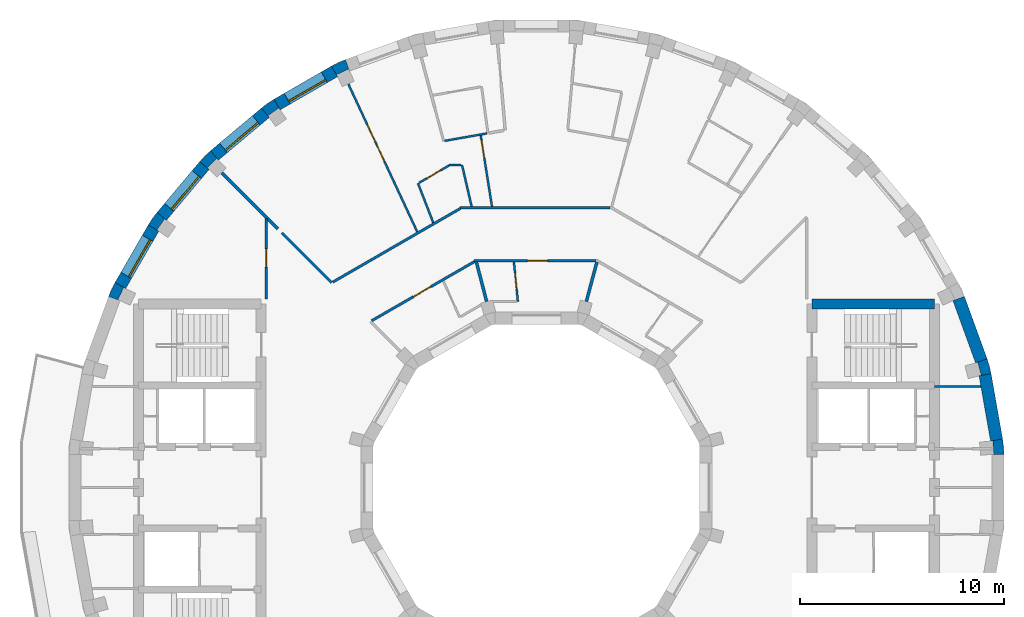
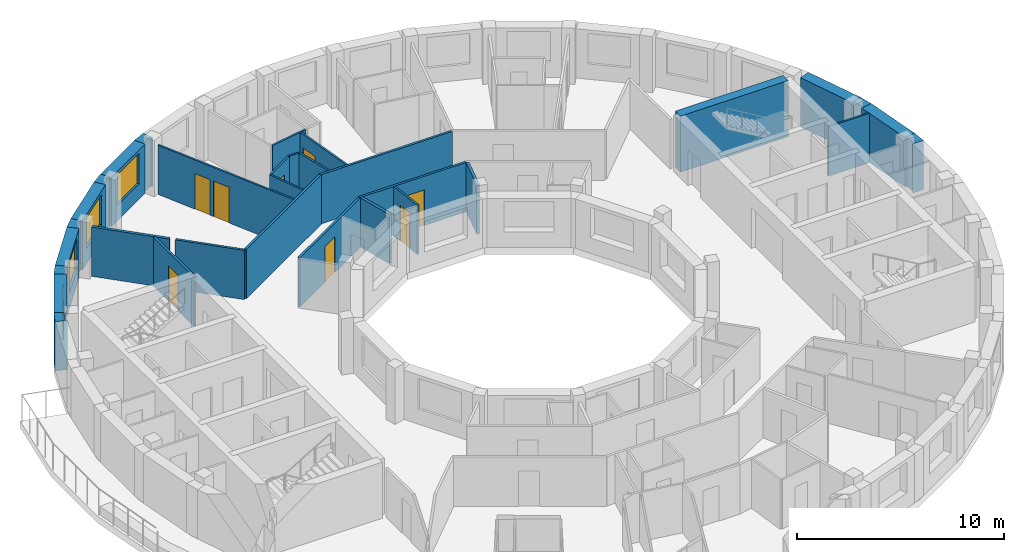
# One storey, part 7 of 10: 32 walls, 8 doors, 4 windows, 12 openings.
"""IFC4 building model written with IfcOpenShell, lengths in metres."""

from ifc_helpers import new_model, si_unit, direction, frame, frame_2d, origin, place, context, subcontext, project, spatial, polyline, rectangle, outline, extrude, material, layer, layer_set, type_object, element, fill, save


model = new_model("IFC4")

# Units and contexts
model_context = context("Model", 3, precision=1e-05, world=origin(), true_north=direction((0.0, 1.0)))
body_context = subcontext(model_context, "Body", "Model", "MODEL_VIEW")
ifc_project = project(units=[si_unit("LENGTHUNIT", "METRE"), si_unit("AREAUNIT", "SQUARE_METRE"), si_unit("VOLUMEUNIT", "CUBIC_METRE"), si_unit("PLANEANGLEUNIT", "RADIAN"), si_unit("MASSUNIT", "GRAM", prefix="KILO")], contexts=[model_context])

# Site, building, storey
site_placement = place(None, origin())
site = spatial("IfcSite", under=ifc_project, at=site_placement, CompositionType="ELEMENT")
building_placement = place(site_placement, origin())
building = spatial("IfcBuilding", under=site, at=building_placement, Name="Saqina Gate Tower", CompositionType="ELEMENT")
storey_placement = place(building_placement, frame((0.0, 0.0, 256.10009765625)))
storey = spatial("IfcBuildingStorey", under=building, at=storey_placement, Name="L73", CompositionType="ELEMENT", Elevation=256.10009765625)

# Walls
ifc_material_1 = material(Name="Brick masonry (buff)", Category="masonry")
wall_type_1 = type_object("IfcWallType", Name="BRICK PIER COPING BUFF", PredefinedType="SOLIDWALL", material=ifc_material_1)
wall_1_placement = place(storey_placement, origin())
element("IfcWall", 1, at=wall_1_placement, inside=storey, type_object=wall_type_1, Name="Pier cap L73 column 1", PredefinedType="SOLIDWALL", context=body_context, shape_type="SweptSolid", body=[
    extrude(outline(polyline([(22.91259765625, 1.625732421875), (22.8466796875, 2.377685546875), (22.255859375, 2.2734375), (22.361083984375, 2.28271484375), (22.417724609375, 1.635009765625), (22.3125, 1.625732421875), (22.91259765625, 1.625732421875)])), origin(), (0.0, 0.0, 1.0), 2.89990234375),
])
wall_2_placement = place(storey_placement, origin())
element("IfcWall", 2, at=wall_2_placement, inside=storey, type_object=wall_type_1, Name="Pier cap L73 column 2", PredefinedType="SOLIDWALL", context=body_context, shape_type="SweptSolid", body=[
    extrude(outline(polyline([(22.0869140625, 6.30859375), (21.52294921875, 6.103515625), (21.625, 6.130859375), (21.793212890625, 5.5029296875), (21.691162109375, 5.4755859375), (22.281982421875, 5.579833984375), (22.0869140625, 6.30859375)])), origin(), (0.0, 0.0, 1.0), 2.89990234375),
])
wall_3_placement = place(storey_placement, origin())
element("IfcWall", 3, at=wall_3_placement, inside=storey, type_object=wall_type_1, Name="Pier cap L73 column 12", PredefinedType="SOLIDWALL", context=body_context, shape_type="SweptSolid", body=[
    extrude(outline(polyline([(-9.3642578125, 20.974609375), (-10.048095703125, 20.65576171875), (-9.748291015625, 20.135986328125), (-9.79296875, 20.23193359375), (-9.203857421875, 20.506591796875), (-9.1591796875, 20.410888671875), (-9.3642578125, 20.974609375)])), origin(), (0.0, 0.0, 1.0), 2.89990234375),
])
wall_4_placement = place(storey_placement, origin())
element("IfcWall", 4, at=wall_4_placement, inside=storey, type_object=wall_type_1, Name="Pier cap L73 column 13", PredefinedType="SOLIDWALL", context=body_context, shape_type="SweptSolid", body=[
    extrude(outline(polyline([(-12.8642578125, 19.02978515625), (-13.482421875, 18.59716796875), (-13.0966796875, 18.137451171875), (-13.157470703125, 18.22412109375), (-12.625, 18.596923828125), (-12.564208984375, 18.51025390625), (-12.8642578125, 19.02978515625)])), origin(), (0.0, 0.0, 1.0), 2.89990234375),
])
wall_5_placement = place(storey_placement, origin())
element("IfcWall", 5, at=wall_5_placement, inside=storey, type_object=wall_type_1, Name="Pier cap L73 column 14", PredefinedType="SOLIDWALL", context=body_context, shape_type="SweptSolid", body=[
    extrude(outline(polyline([(-16.5068359375, 15.973388671875), (-16.04736328125, 15.587646484375), (-16.1220703125, 15.662353515625), (-15.662353515625, 16.1220703125), (-15.587646484375, 16.04736328125), (-15.973388671875, 16.5068359375), (-16.5068359375, 15.973388671875)])), origin(), (0.0, 0.0, 1.0), 2.89990234375),
])
wall_6_placement = place(storey_placement, origin())
element("IfcWall", 6, at=wall_6_placement, inside=storey, type_object=wall_type_1, Name="Pier cap L73 column 15", PredefinedType="SOLIDWALL", context=body_context, shape_type="SweptSolid", body=[
    extrude(outline(polyline([(-19.02978515625, 12.8642578125), (-18.51025390625, 12.564208984375), (-18.596923828125, 12.625), (-18.22412109375, 13.157470703125), (-18.137451171875, 13.0966796875), (-18.59716796875, 13.482421875), (-19.02978515625, 12.8642578125)])), origin(), (0.0, 0.0, 1.0), 2.89990234375),
])
wall_7_placement = place(storey_placement, origin())
element("IfcWall", 7, at=wall_7_placement, inside=storey, type_object=wall_type_1, Name="Pier cap L73 column 16", PredefinedType="SOLIDWALL", context=body_context, shape_type="SweptSolid", body=[
    extrude(outline(polyline([(-20.65576171875, 10.048095703125), (-20.974609375, 9.3642578125), (-20.410888671875, 9.1591796875), (-20.506591796875, 9.203857421875), (-20.23193359375, 9.79296875), (-20.135986328125, 9.748291015625), (-20.65576171875, 10.048095703125)])), origin(), (0.0, 0.0, 1.0), 2.89990234375),
])
ifc_material_2 = material(Name="Gypsum board on steel studs", Category="steel")
ifc_layer_1 = layer(ifc_material_2, 0.10009765625)
ifc_layer_set_1 = layer_set([ifc_layer_1], Name="CORE PARTITION")
wall_type_2 = type_object("IfcWallType", Name="CORE PARTITION", PredefinedType="PARTITIONING", material=ifc_layer_set_1)
wall_8_placement = place(storey_placement, frame((19.5, 4.949951171875, 0.0), z_axis=(0.0, 0.0, 1.0), x_axis=(1.0, 0.0, 0.0)))
element("IfcWall", 8, at=wall_8_placement, inside=storey, type_object=wall_type_2, Name="L73-CP-E02", PredefinedType="PARTITIONING", context=body_context, shape_type="SweptSolid", body=[
    extrude(rectangle(XDim=2.283935546875, YDim=0.10009765625, at=frame_2d((1.14208984375, 0.0))), origin(), (0.0, 0.0, 1.0), 2.89990234375),
])

# Wall, opening, window
ifc_material_3 = material(Name="Brick masonry (buff)", Category="masonry")
ifc_layer_2 = layer(ifc_material_3, 0.60009765625)
ifc_layer_set_2 = layer_set([ifc_layer_2], Name="FW-BRICK-BUFF")
wall_type_3 = type_object("IfcWallType", Name="FW-BRICK-BUFF", PredefinedType="SOLIDWALL", material=ifc_layer_set_2)
wall_9_placement = place(storey_placement, frame((-9.898193359375, 20.39599609375, 0.0), z_axis=(0.0, 0.0, 1.0), x_axis=(-0.866016800201, -0.500014901547, 0.0)))
wall_9 = element("IfcWall", 9, at=wall_9_placement, inside=storey, type_object=wall_type_3, Name="Facade wall L73 facet 12", PredefinedType="SOLIDWALL", context=body_context, shape_type="SweptSolid", body=[
    extrude(rectangle(XDim=3.251953125, YDim=0.60009765625, at=frame_2d((1.6259765625, 0.0))), origin(), (0.0, 0.0, 1.0), 2.89990234375),
])
opening_1_placement = place(wall_9_placement, frame((0.57568359375, 0.0, 0.89990234375)))
opening_1 = element("IfcOpeningElement", 10, at=opening_1_placement, cuts=wall_9, Name="Opening G21-W10", PredefinedType="OPENING", context=body_context, shape_type="SweptSolid", body=[
    extrude(rectangle(XDim=2.10009765625, YDim=1.800048828125, at=frame_2d((1.050048828125, 0.89990234375))), frame((0.0, 0.31201171875, 0.0), z_axis=(0.0, -1.0, 0.0), x_axis=(1.0, 0.0, 0.0)), (0.0, 0.0, 1.0), 0.6240234375),
])
ifc_material_4 = material(Name="Aluminium glazing", Category="aluminium")
window_type = type_object("IfcWindowType", Name="WN-D", PartitioningType="SINGLE_PANEL", PredefinedType="WINDOW", material=ifc_material_4)
window_1_placement = place(opening_1_placement, origin())
window_1 = element("IfcWindow", 11, at=window_1_placement, inside=storey, type_object=window_type, Name="Window L73 facet 12", OverallHeight=1.800048828125, OverallWidth=2.10009765625, PartitioningType="SINGLE_PANEL", PredefinedType="WINDOW", context=body_context, shape_type="SweptSolid", body=[
    extrude(rectangle(XDim=2.10009765625, YDim=1.800048828125, at=frame_2d((1.050048828125, 0.89990234375))), frame((0.0, 0.179931640625, 0.0), z_axis=(0.0, -1.0, 0.0), x_axis=(1.0, 0.0, 0.0)), (0.0, 0.0, 1.0), 0.06005859375),
])
fill(opening_1, window_1)

wall_10_placement = place(storey_placement, frame((-13.28955078125, 18.3671875, 0.0), z_axis=(0.0, 0.0, 1.0), x_axis=(-0.766056773982, -0.64277291405, 0.0)))
wall_10 = element("IfcWall", 12, at=wall_10_placement, inside=storey, type_object=wall_type_3, Name="Facade wall L73 facet 13", PredefinedType="SOLIDWALL", context=body_context, shape_type="SweptSolid", body=[
    extrude(rectangle(XDim=3.251708984375, YDim=0.60009765625, at=frame_2d((1.6259765625, 0.0))), origin(), (0.0, 0.0, 1.0), 2.89990234375),
])
opening_2_placement = place(wall_10_placement, frame((0.57568359375, 0.0, 0.89990234375)))
opening_2 = element("IfcOpeningElement", 13, at=opening_2_placement, cuts=wall_10, Name="Opening G21-W11", PredefinedType="OPENING", context=body_context, shape_type="SweptSolid", body=[
    extrude(rectangle(XDim=2.10009765625, YDim=1.800048828125, at=frame_2d((1.050048828125, 0.89990234375))), frame((0.0, 0.31201171875, 0.0), z_axis=(0.0, -1.0, 0.0), x_axis=(1.0, 0.0, 0.0)), (0.0, 0.0, 1.0), 0.6240234375),
])
window_2_placement = place(opening_2_placement, origin())
window_2 = element("IfcWindow", 14, at=window_2_placement, inside=storey, type_object=window_type, Name="Window L73 facet 13", OverallHeight=1.800048828125, OverallWidth=2.10009765625, PartitioningType="SINGLE_PANEL", PredefinedType="WINDOW", context=body_context, shape_type="SweptSolid", body=[
    extrude(rectangle(XDim=2.10009765625, YDim=1.800048828125, at=frame_2d((1.050048828125, 0.89990234375))), frame((0.0, 0.179931640625, 0.0), z_axis=(0.0, -1.0, 0.0), x_axis=(1.0, 0.0, 0.0)), (0.0, 0.0, 1.0), 0.06005859375),
])
fill(opening_2, window_2)

wall_11_placement = place(storey_placement, frame((-16.277099609375, 15.780517578125, 0.0), z_axis=(0.0, 0.0, 1.0), x_axis=(-0.64277291405, -0.766056773982, 0.0)))
wall_11 = element("IfcWall", 15, at=wall_11_placement, inside=storey, type_object=wall_type_3, Name="Facade wall L73 facet 14", PredefinedType="SOLIDWALL", context=body_context, shape_type="SweptSolid", body=[
    extrude(rectangle(XDim=3.251708984375, YDim=0.60009765625, at=frame_2d((1.6259765625, 0.0))), origin(), (0.0, 0.0, 1.0), 2.89990234375),
])
opening_3_placement = place(wall_11_placement, frame((0.57568359375, 0.0, 0.89990234375)))
opening_3 = element("IfcOpeningElement", 16, at=opening_3_placement, cuts=wall_11, Name="Opening G21-W12", PredefinedType="OPENING", context=body_context, shape_type="SweptSolid", body=[
    extrude(rectangle(XDim=2.10009765625, YDim=1.800048828125, at=frame_2d((1.050048828125, 0.89990234375))), frame((0.0, 0.31201171875, 0.0), z_axis=(0.0, -1.0, 0.0), x_axis=(1.0, 0.0, 0.0)), (0.0, 0.0, 1.0), 0.6240234375),
])
window_3_placement = place(opening_3_placement, origin())
window_3 = element("IfcWindow", 17, at=window_3_placement, inside=storey, type_object=window_type, Name="Window L73 facet 14", OverallHeight=1.800048828125, OverallWidth=2.10009765625, PartitioningType="SINGLE_PANEL", PredefinedType="WINDOW", context=body_context, shape_type="SweptSolid", body=[
    extrude(rectangle(XDim=2.10009765625, YDim=1.800048828125, at=frame_2d((1.050048828125, 0.89990234375))), frame((0.0, 0.179931640625, 0.0), z_axis=(0.0, -1.0, 0.0), x_axis=(1.0, 0.0, 0.0)), (0.0, 0.0, 1.0), 0.06005859375),
])
fill(opening_3, window_3)

wall_12_placement = place(storey_placement, frame((-18.77001953125, 12.71435546875, 0.0), z_axis=(0.0, 0.0, 1.0), x_axis=(-0.500014901547, -0.866016800201, 0.0)))
wall_12 = element("IfcWall", 18, at=wall_12_placement, inside=storey, type_object=wall_type_3, Name="Facade wall L73 facet 15", PredefinedType="SOLIDWALL", context=body_context, shape_type="SweptSolid", body=[
    extrude(rectangle(XDim=3.251953125, YDim=0.60009765625, at=frame_2d((1.6259765625, 0.0))), origin(), (0.0, 0.0, 1.0), 2.89990234375),
])
opening_4_placement = place(wall_12_placement, frame((0.57568359375, 0.0, 0.89990234375)))
opening_4 = element("IfcOpeningElement", 19, at=opening_4_placement, cuts=wall_12, Name="Opening G21-W13", PredefinedType="OPENING", context=body_context, shape_type="SweptSolid", body=[
    extrude(rectangle(XDim=2.10009765625, YDim=1.800048828125, at=frame_2d((1.050048828125, 0.89990234375))), frame((0.0, 0.31201171875, 0.0), z_axis=(0.0, -1.0, 0.0), x_axis=(1.0, 0.0, 0.0)), (0.0, 0.0, 1.0), 0.6240234375),
])
window_4_placement = place(opening_4_placement, origin())
window_4 = element("IfcWindow", 20, at=window_4_placement, inside=storey, type_object=window_type, Name="Window L73 facet 15", OverallHeight=1.800048828125, OverallWidth=2.10009765625, PartitioningType="SINGLE_PANEL", PredefinedType="WINDOW", context=body_context, shape_type="SweptSolid", body=[
    extrude(rectangle(XDim=2.10009765625, YDim=1.800048828125, at=frame_2d((1.050048828125, 0.89990234375))), frame((0.0, 0.179931640625, 0.0), z_axis=(0.0, -1.0, 0.0), x_axis=(1.0, 0.0, 0.0)), (0.0, 0.0, 1.0), 0.06005859375),
])
fill(opening_4, window_4)

# Walls
ifc_material_5 = material(Name="Glazed ceramic tile", Category="ceramic")
ifc_layer_3 = layer(ifc_material_5, 0.60009765625)
ifc_layer_set_3 = layer_set([ifc_layer_3], Name="FW-TILE")
wall_type_4 = type_object("IfcWallType", Name="FW-TILE", PredefinedType="SOLIDWALL", material=ifc_layer_set_3)
wall_13_placement = place(storey_placement, frame((21.804931640625, 6.2060546875, 0.0), z_axis=(0.0, 0.0, 1.0), x_axis=(-0.342056509473, 0.939679383794, 0.0)))
element("IfcWall", 21, at=wall_13_placement, inside=storey, type_object=wall_type_4, Name="Facade wall L73 facet 2", PredefinedType="SOLIDWALL", context=body_context, shape_type="SweptSolid", body=[
    extrude(rectangle(XDim=3.251708984375, YDim=0.60009765625, at=frame_2d((1.6259765625, 0.0))), origin(), (0.0, 0.0, 1.0), 2.89990234375),
])
ifc_material_6 = material(Name="Glazed ceramic tile (dark blue)", Category="ceramic")
ifc_layer_4 = layer(ifc_material_6, 0.60009765625)
ifc_layer_set_4 = layer_set([ifc_layer_4], Name="FW-TILE-CB")
wall_type_5 = type_object("IfcWallType", Name="FW-TILE-CB", PredefinedType="SOLIDWALL", material=ifc_layer_set_4)
wall_14_placement = place(storey_placement, frame((22.55126953125, 2.325439453125, 0.0), z_axis=(0.0, 0.0, 1.0), x_axis=(-0.173656842178, 0.984806225186, 0.0)))
element("IfcWall", 22, at=wall_14_placement, inside=storey, type_object=wall_type_5, Name="Facade wall L73 facet 1", PredefinedType="SOLIDWALL", context=body_context, shape_type="SweptSolid", body=[
    extrude(rectangle(XDim=3.251708984375, YDim=0.60009765625, at=frame_2d((1.6259765625, 0.0))), origin(), (0.0, 0.0, 1.0), 2.89990234375),
])

# Wall, opening, door
ifc_material_7 = material(Name="Gypsum board on steel studs, 100 mm", Category="steel")
ifc_layer_5 = layer(ifc_material_7, 0.10009765625)
ifc_layer_set_5 = layer_set([ifc_layer_5], Name="PARTITION 100")
wall_type_6 = type_object("IfcWallType", Name="PARTITION 100", PredefinedType="PARTITIONING", material=ifc_layer_set_5)
wall_15_placement = place(storey_placement, frame((-1.105712890625, 11.0478515625, 0.0), z_axis=(0.0, 0.0, 1.0), x_axis=(0.099416829924, -0.995045875288, 0.0)))
wall_15 = element("IfcWall", 23, at=wall_15_placement, inside=storey, type_object=wall_type_6, Name="PARTITION PW3-01", PredefinedType="PARTITIONING", context=body_context, shape_type="SweptSolid", body=[
    extrude(rectangle(XDim=1.947509765625, YDim=0.10009765625, at=frame_2d((0.9736328125, 0.0))), origin(), (0.0, 0.0, 1.0), 2.89990234375),
])
opening_5_placement = place(wall_15_placement, frame((0.54248046875, 0.0, 0.0)))
opening_5 = element("IfcOpeningElement", 24, at=opening_5_placement, cuts=wall_15, Name="Opening G21-D14", PredefinedType="OPENING", context=body_context, shape_type="SweptSolid", body=[
    extrude(rectangle(XDim=0.800048828125, YDim=2.10009765625, at=frame_2d((0.39990234375, 1.050048828125))), frame((0.0, 0.06201171875, 0.0), z_axis=(0.0, -1.0, 0.0), x_axis=(1.0, 0.0, 0.0)), (0.0, 0.0, 1.0), 0.1240234375),
])
ifc_material_8 = material(Name="Timber door leaf, 800 mm", Category="wood")
door_type_1 = type_object("IfcDoorType", Name="DOOR 800 TIMBER", OperationType="SINGLE_SWING_LEFT", PredefinedType="DOOR", material=ifc_material_8)
door_1_placement = place(opening_5_placement, frame((0.800048828125, 0.0, 0.0), z_axis=(0.0, 0.0, 1.0), x_axis=(-1.0, 0.0, 0.0)))
door_1 = element("IfcDoor", 25, at=door_1_placement, inside=storey, type_object=door_type_1, Name="DOOR G21-D14", OperationType="SINGLE_SWING_LEFT", OverallHeight=2.10009765625, OverallWidth=0.800048828125, PredefinedType="DOOR", context=body_context, shape_type="SweptSolid", body=[
    extrude(rectangle(XDim=0.800048828125, YDim=2.10009765625, at=frame_2d((0.39990234375, 1.050048828125))), frame((0.0, 0.02490234375, 0.0), z_axis=(0.0, -1.0, 0.0), x_axis=(1.0, 0.0, 0.0)), (0.0, 0.0, 1.0), 0.050048828125),
])
fill(opening_5, door_1)

wall_16_placement = place(storey_placement, frame((-2.732177734375, 17.24951171875, 0.0), z_axis=(0.0, 0.0, 1.0), x_axis=(0.156624768699, -0.987658180663, 0.0)))
wall_16 = element("IfcWall", 26, at=wall_16_placement, inside=storey, type_object=wall_type_6, Name="PARTITION PW3-04", PredefinedType="PARTITIONING", context=body_context, shape_type="SweptSolid", body=[
    extrude(rectangle(XDim=3.521240234375, YDim=0.10009765625, at=frame_2d((1.7607421875, 0.0))), origin(), (0.0, 0.0, 1.0), 2.89990234375),
])
opening_6_placement = place(wall_16_placement, frame((0.216796875, 0.0, 0.0)))
opening_6 = element("IfcOpeningElement", 27, at=opening_6_placement, cuts=wall_16, Name="Opening G21-D15", PredefinedType="OPENING", context=body_context, shape_type="SweptSolid", body=[
    extrude(rectangle(XDim=0.89990234375, YDim=2.10009765625, at=frame_2d((0.449951171875, 1.050048828125))), frame((0.0, 0.06201171875, 0.0), z_axis=(0.0, -1.0, 0.0), x_axis=(1.0, 0.0, 0.0)), (0.0, 0.0, 1.0), 0.1240234375),
])
ifc_material_9 = material(Name="Timber door leaf, 900 mm", Category="wood")
door_type_2 = type_object("IfcDoorType", Name="DOOR 900 TIMBER", OperationType="SINGLE_SWING_LEFT", PredefinedType="DOOR", material=ifc_material_9)
door_2_placement = place(opening_6_placement, origin())
door_2 = element("IfcDoor", 28, at=door_2_placement, inside=storey, type_object=door_type_2, Name="DOOR G21-D15", OperationType="SINGLE_SWING_LEFT", OverallHeight=2.10009765625, OverallWidth=0.89990234375, PredefinedType="DOOR", context=body_context, shape_type="SweptSolid", body=[
    extrude(rectangle(XDim=0.89990234375, YDim=2.10009765625, at=frame_2d((0.449951171875, 1.050048828125))), frame((0.0, 0.02490234375, 0.0), z_axis=(0.0, -1.0, 0.0), x_axis=(1.0, 0.0, 0.0)), (0.0, 0.0, 1.0), 0.050048828125),
])
fill(opening_6, door_2)

# Walls
wall_17_placement = place(storey_placement, frame((-3.64990234375, 15.81005859375, 0.0), z_axis=(0.0, 0.0, 1.0), x_axis=(0.22503842629, -0.974349889256, 0.0)))
element("IfcWall", 29, at=wall_17_placement, inside=storey, type_object=wall_type_6, Name="PARTITION PW3-05", PredefinedType="PARTITIONING", context=body_context, shape_type="SweptSolid", body=[
    extrude(rectangle(XDim=2.0927734375, YDim=0.10009765625, at=frame_2d((1.04638671875, 0.0))), origin(), (0.0, 0.0, 1.0), 2.89990234375),
])
wall_18_placement = place(storey_placement, frame((-5.806884765625, 14.903076171875, 0.0), z_axis=(0.0, 0.0, 1.0), x_axis=(0.362800505058, -0.931866832509, 0.0)))
element("IfcWall", 30, at=wall_18_placement, inside=storey, type_object=wall_type_6, Name="PARTITION PW3-07", PredefinedType="PARTITIONING", context=body_context, shape_type="SweptSolid", body=[
    extrude(rectangle(XDim=2.061767578125, YDim=0.10009765625, at=frame_2d((1.03076171875, 0.0))), origin(), (0.0, 0.0, 1.0), 2.89990234375),
])

# Wall, openings, doors
wall_19_placement = place(storey_placement, frame((-9.2197265625, 19.77099609375, 0.0), z_axis=(0.0, 0.0, 1.0), x_axis=(0.422639558445, -0.906297855916, 0.0)))
wall_19 = element("IfcWall", 31, at=wall_19_placement, inside=storey, type_object=wall_type_6, Name="PARTITION PW3-09", PredefinedType="PARTITIONING", context=body_context, shape_type="SweptSolid", body=[
    extrude(rectangle(XDim=7.990234375, YDim=0.10009765625, at=frame_2d((3.9951171875, 0.0))), origin(), (0.0, 0.0, 1.0), 2.89990234375),
])
opening_7_placement = place(wall_19_placement, frame((3.285400390625, 0.0, 0.0)))
opening_7 = element("IfcOpeningElement", 32, at=opening_7_placement, cuts=wall_19, Name="Opening G21-D19", PredefinedType="OPENING", context=body_context, shape_type="SweptSolid", body=[
    extrude(rectangle(XDim=0.89990234375, YDim=2.10009765625, at=frame_2d((0.449951171875, 1.050048828125))), frame((0.0, 0.06201171875, 0.0), z_axis=(0.0, -1.0, 0.0), x_axis=(1.0, 0.0, 0.0)), (0.0, 0.0, 1.0), 0.1240234375),
])
opening_8_placement = place(wall_19_placement, frame((2.185546875, 0.0, 0.0)))
opening_8 = element("IfcOpeningElement", 33, at=opening_8_placement, cuts=wall_19, Name="Opening G21-D20", PredefinedType="OPENING", context=body_context, shape_type="SweptSolid", body=[
    extrude(rectangle(XDim=0.89990234375, YDim=2.10009765625, at=frame_2d((0.449951171875, 1.050048828125))), frame((0.0, 0.06201171875, 0.0), z_axis=(0.0, -1.0, 0.0), x_axis=(1.0, 0.0, 0.0)), (0.0, 0.0, 1.0), 0.1240234375),
])
door_3_placement = place(opening_7_placement, frame((0.89990234375, 0.0, 0.0), z_axis=(0.0, 0.0, 1.0), x_axis=(-1.0, 0.0, 0.0)))
door_3 = element("IfcDoor", 34, at=door_3_placement, inside=storey, type_object=door_type_2, Name="DOOR G21-D19", OperationType="SINGLE_SWING_RIGHT", OverallHeight=2.10009765625, OverallWidth=0.89990234375, PredefinedType="DOOR", context=body_context, shape_type="SweptSolid", body=[
    extrude(rectangle(XDim=0.89990234375, YDim=2.10009765625, at=frame_2d((0.449951171875, 1.050048828125))), frame((0.0, 0.02490234375, 0.0), z_axis=(0.0, -1.0, 0.0), x_axis=(1.0, 0.0, 0.0)), (0.0, 0.0, 1.0), 0.050048828125),
])
fill(opening_7, door_3)
door_4_placement = place(opening_8_placement, frame((0.89990234375, 0.0, 0.0), z_axis=(0.0, 0.0, 1.0), x_axis=(-1.0, 0.0, 0.0)))
door_4 = element("IfcDoor", 35, at=door_4_placement, inside=storey, type_object=door_type_2, Name="DOOR G21-D20", OperationType="SINGLE_SWING_RIGHT", OverallHeight=2.10009765625, OverallWidth=0.89990234375, PredefinedType="DOOR", context=body_context, shape_type="SweptSolid", body=[
    extrude(rectangle(XDim=0.89990234375, YDim=2.10009765625, at=frame_2d((0.449951171875, 1.050048828125))), frame((0.0, 0.02490234375, 0.0), z_axis=(0.0, -1.0, 0.0), x_axis=(1.0, 0.0, 0.0)), (0.0, 0.0, 1.0), 0.050048828125),
])
fill(opening_8, door_4)

# Walls
wall_20_placement = place(storey_placement, frame((-4.294677734375, 15.81005859375, 0.0), z_axis=(0.0, 0.0, 1.0), x_axis=(1.0, 0.0, 0.0)))
element("IfcWall", 36, at=wall_20_placement, inside=storey, type_object=wall_type_6, Name="PARTITION PW3-27", PredefinedType="PARTITIONING", context=body_context, shape_type="SweptSolid", body=[
    extrude(rectangle(XDim=0.5927734375, YDim=0.10009765625, at=frame_2d((0.29638671875, 0.0))), origin(), (0.0, 0.0, 1.0), 2.89990234375),
])
wall_21_placement = place(storey_placement, frame((-4.499755859375, 16.98876953125, 0.0), z_axis=(0.0, 0.0, 1.0), x_axis=(0.984790568505, 0.173745607667, 0.0)))
element("IfcWall", 37, at=wall_21_placement, inside=storey, type_object=wall_type_6, Name="PARTITION PW3-30", PredefinedType="PARTITIONING", context=body_context, shape_type="SweptSolid", body=[
    extrude(rectangle(XDim=2.103515625, YDim=0.10009765625, at=frame_2d((1.0517578125, 0.0))), origin(), (0.0, 0.0, 1.0), 2.89990234375),
])

# Wall, opening, door
wall_22_placement = place(storey_placement, frame((-5.76171875, 14.92919921875, 0.0), z_axis=(0.0, 0.0, 1.0), x_axis=(0.865924135104, 0.500175361493, 0.0)))
wall_22 = element("IfcWall", 38, at=wall_22_placement, inside=storey, type_object=wall_type_6, Name="PARTITION PW3-35", PredefinedType="PARTITIONING", context=body_context, shape_type="SweptSolid", body=[
    extrude(rectangle(XDim=1.7109375, YDim=0.10009765625, at=frame_2d((0.85546875, 0.0))), origin(), (0.0, 0.0, 1.0), 2.89990234375),
])
opening_9_placement = place(wall_22_placement, frame((0.454345703125, 0.0, 0.0)))
opening_9 = element("IfcOpeningElement", 39, at=opening_9_placement, cuts=wall_22, Name="Opening G21-D17", PredefinedType="OPENING", context=body_context, shape_type="SweptSolid", body=[
    extrude(rectangle(XDim=0.800048828125, YDim=2.10009765625, at=frame_2d((0.39990234375, 1.050048828125))), frame((0.0, 0.06201171875, 0.0), z_axis=(0.0, -1.0, 0.0), x_axis=(1.0, 0.0, 0.0)), (0.0, 0.0, 1.0), 0.1240234375),
])
door_5_placement = place(opening_9_placement, origin())
door_5 = element("IfcDoor", 40, at=door_5_placement, inside=storey, type_object=door_type_1, Name="DOOR G21-D17", OperationType="SINGLE_SWING_RIGHT", OverallHeight=2.10009765625, OverallWidth=0.800048828125, PredefinedType="DOOR", context=body_context, shape_type="SweptSolid", body=[
    extrude(rectangle(XDim=0.800048828125, YDim=2.10009765625, at=frame_2d((0.39990234375, 1.050048828125))), frame((0.0, 0.02490234375, 0.0), z_axis=(0.0, -1.0, 0.0), x_axis=(1.0, 0.0, 0.0)), (0.0, 0.0, 1.0), 0.050048828125),
])
fill(opening_9, door_5)

# Wall
ifc_material_10 = material(Name="Gypsum board on steel studs, 125 mm, fire rated", Category="steel")
ifc_layer_6 = layer(ifc_material_10, 0.125)
ifc_layer_set_6 = layer_set([ifc_layer_6], Name="PARTITION EI 30 125")
wall_type_7 = type_object("IfcWallType", Name="PARTITION EI 30 125", PredefinedType="PARTITIONING", material=ifc_layer_set_6)
wall_23_placement = place(storey_placement, frame((-12.47412109375, 12.47412109375, 0.0), z_axis=(0.0, 0.0, 1.0), x_axis=(0.707106781187, -0.707106781187, 0.0)))
element("IfcWall", 41, at=wall_23_placement, inside=storey, type_object=wall_type_7, Name="PARTITION PW1-04", PredefinedType="PARTITIONING", context=body_context, shape_type="SweptSolid", body=[
    extrude(rectangle(XDim=3.4482421875, YDim=0.125, at=frame_2d((1.72412109375, 0.0))), origin(), (0.0, 0.0, 1.0), 2.89990234375),
])

# Wall, opening, door
wall_24_placement = place(storey_placement, frame((-3.0634765625, 11.110107421875, 0.0), z_axis=(0.0, 0.0, 1.0), x_axis=(1.0, 0.0, 0.0)))
wall_24 = element("IfcWall", 42, at=wall_24_placement, inside=storey, type_object=wall_type_7, Name="PARTITION PW1-19", PredefinedType="PARTITIONING", context=body_context, shape_type="SweptSolid", body=[
    extrude(rectangle(XDim=5.97802734375, YDim=0.125, at=frame_2d((2.989013671875, 0.0))), origin(), (0.0, 0.0, 1.0), 2.89990234375),
])
opening_10_placement = place(wall_24_placement, frame((2.614013671875, 0.0, 0.0)))
opening_10 = element("IfcOpeningElement", 43, at=opening_10_placement, cuts=wall_24, Name="Opening G21-D12", PredefinedType="OPENING", context=body_context, shape_type="SweptSolid", body=[
    extrude(rectangle(XDim=1.0, YDim=2.10009765625, at=frame_2d((0.5, 1.050048828125))), frame((0.0, 0.074462890625, 0.0), z_axis=(0.0, -1.0, 0.0), x_axis=(1.0, 0.0, 0.0)), (0.0, 0.0, 1.0), 0.14892578125),
])
ifc_material_11 = material(Name="Fire door leaf EI 30, 1000 mm")
door_type_3 = type_object("IfcDoorType", Name="DOOR 1000 EI 30", OperationType="SINGLE_SWING_LEFT", PredefinedType="DOOR", material=ifc_material_11)
door_6_placement = place(opening_10_placement, frame((1.0, 0.0, 0.0), z_axis=(0.0, 0.0, 1.0), x_axis=(-1.0, 0.0, 0.0)))
door_6 = element("IfcDoor", 44, at=door_6_placement, inside=storey, type_object=door_type_3, Name="DOOR G21-D12", OperationType="SINGLE_SWING_RIGHT", OverallHeight=2.10009765625, OverallWidth=1.0, PredefinedType="DOOR", context=body_context, shape_type="SweptSolid", body=[
    extrude(rectangle(XDim=1.0, YDim=2.10009765625, at=frame_2d((0.5, 1.050048828125))), frame((0.0, 0.02490234375, 0.0), z_axis=(0.0, -1.0, 0.0), x_axis=(1.0, 0.0, 0.0)), (0.0, 0.0, 1.0), 0.050048828125),
])
fill(opening_10, door_6)

# Wall
wall_25_placement = place(storey_placement, frame((-3.74609375, 13.7099609375, 0.0), z_axis=(0.0, 0.0, 1.0), x_axis=(1.0, 0.0, 0.0)))
element("IfcWall", 45, at=wall_25_placement, inside=storey, type_object=wall_type_7, Name="PARTITION PW1-20", PredefinedType="PARTITIONING", context=body_context, shape_type="SweptSolid", body=[
    extrude(rectangle(XDim=7.356689453125, YDim=0.125, at=frame_2d((3.67822265625, 0.0))), origin(), (0.0, 0.0, 1.0), 2.89990234375),
])

# Wall, opening, door
wall_26_placement = place(storey_placement, frame((-8.08251953125, 8.170654296875, 0.0), z_axis=(0.0, 0.0, 1.0), x_axis=(0.866868209522, 0.498537368027, 0.0)))
wall_26 = element("IfcWall", 46, at=wall_26_placement, inside=storey, type_object=wall_type_7, Name="PARTITION PW1-25", PredefinedType="PARTITIONING", context=body_context, shape_type="SweptSolid", body=[
    extrude(rectangle(XDim=5.81640625, YDim=0.125, at=frame_2d((2.908203125, 0.0))), origin(), (0.0, 0.0, 1.0), 2.89990234375),
])
opening_11_placement = place(wall_26_placement, frame((2.36376953125, 0.0, 0.0)))
opening_11 = element("IfcOpeningElement", 47, at=opening_11_placement, cuts=wall_26, Name="Opening G21-D21", PredefinedType="OPENING", context=body_context, shape_type="SweptSolid", body=[
    extrude(rectangle(XDim=1.0, YDim=2.10009765625, at=frame_2d((0.5, 1.050048828125))), frame((0.0, 0.074462890625, 0.0), z_axis=(0.0, -1.0, 0.0), x_axis=(1.0, 0.0, 0.0)), (0.0, 0.0, 1.0), 0.14892578125),
])
door_7_placement = place(opening_11_placement, origin())
door_7 = element("IfcDoor", 48, at=door_7_placement, inside=storey, type_object=door_type_3, Name="DOOR G21-D21", OperationType="SINGLE_SWING_LEFT", OverallHeight=2.10009765625, OverallWidth=1.0, PredefinedType="DOOR", context=body_context, shape_type="SweptSolid", body=[
    extrude(rectangle(XDim=1.0, YDim=2.10009765625, at=frame_2d((0.5, 1.050048828125))), frame((0.0, 0.02490234375, 0.0), z_axis=(0.0, -1.0, 0.0), x_axis=(1.0, 0.0, 0.0)), (0.0, 0.0, 1.0), 0.050048828125),
])
fill(opening_11, door_7)

# Wall
wall_27_placement = place(storey_placement, frame((-9.98193359375, 10.067138671875, 0.0), z_axis=(0.0, 0.0, 1.0), x_axis=(0.865972766561, 0.500091159265, 0.0)))
element("IfcWall", 49, at=wall_27_placement, inside=storey, type_object=wall_type_7, Name="PARTITION PW1-26", PredefinedType="PARTITIONING", context=body_context, shape_type="SweptSolid", body=[
    extrude(rectangle(XDim=7.221923828125, YDim=0.125, at=frame_2d((3.61083984375, 0.0))), origin(), (0.0, 0.0, 1.0), 2.89990234375),
])

# Wall, opening, door
wall_28_placement = place(storey_placement, frame((-13.25, 9.25, 0.0), z_axis=(0.0, 0.0, 1.0), x_axis=(0.0, 1.0, 0.0)))
wall_28 = element("IfcWall", 50, at=wall_28_placement, inside=storey, type_object=wall_type_7, Name="PARTITION PW1-41", PredefinedType="PARTITIONING", context=body_context, shape_type="SweptSolid", body=[
    extrude(rectangle(XDim=3.925048828125, YDim=0.125, at=frame_2d((1.96240234375, 0.0))), origin(), (0.0, 0.0, 1.0), 2.89990234375),
])
opening_12_placement = place(wall_28_placement, frame((1.550048828125, 0.0, 0.0)))
opening_12 = element("IfcOpeningElement", 51, at=opening_12_placement, cuts=wall_28, Name="Opening G21-D22", PredefinedType="OPENING", context=body_context, shape_type="SweptSolid", body=[
    extrude(rectangle(XDim=0.89990234375, YDim=2.10009765625, at=frame_2d((0.449951171875, 1.050048828125))), frame((0.0, 0.074462890625, 0.0), z_axis=(0.0, -1.0, 0.0), x_axis=(1.0, 0.0, 0.0)), (0.0, 0.0, 1.0), 0.14892578125),
])
ifc_material_12 = material(Name="Fire door leaf EI 30, 900 mm")
door_type_4 = type_object("IfcDoorType", Name="DOOR 900 EI 30", OperationType="SINGLE_SWING_LEFT", PredefinedType="DOOR", material=ifc_material_12)
door_8_placement = place(opening_12_placement, origin())
door_8 = element("IfcDoor", 52, at=door_8_placement, inside=storey, type_object=door_type_4, Name="DOOR G21-D22", OperationType="SINGLE_SWING_RIGHT", OverallHeight=2.10009765625, OverallWidth=0.89990234375, PredefinedType="DOOR", context=body_context, shape_type="SweptSolid", body=[
    extrude(rectangle(XDim=0.89990234375, YDim=2.10009765625, at=frame_2d((0.449951171875, 1.050048828125))), frame((0.0, 0.02490234375, 0.0), z_axis=(0.0, -1.0, 0.0), x_axis=(1.0, 0.0, 0.0)), (0.0, 0.0, 1.0), 0.050048828125),
])
fill(opening_12, door_8)

# Walls
ifc_material_13 = material(Name="Gypsum board on steel studs, 150 mm, fire rated", Category="steel")
ifc_layer_7 = layer(ifc_material_13, 0.14990234375)
ifc_layer_set_7 = layer_set([ifc_layer_7], Name="PARTITION EI 60 150")
wall_type_8 = type_object("IfcWallType", Name="PARTITION EI 60 150", PredefinedType="PARTITIONING", material=ifc_layer_set_7)
wall_29_placement = place(storey_placement, frame((-2.9462890625, 11.053466796875, 0.0), z_axis=(0.0, 0.0, 1.0), x_axis=(0.251585758505, -0.96783500976, 0.0)))
element("IfcWall", 53, at=wall_29_placement, inside=storey, type_object=wall_type_8, Name="PARTITION PW2-01", PredefinedType="PARTITIONING", context=body_context, shape_type="SweptSolid", body=[
    extrude(rectangle(XDim=1.9970703125, YDim=0.14990234375, at=frame_2d((0.99853515625, 0.0))), origin(), (0.0, 0.0, 1.0), 2.89990234375),
])
wall_30_placement = place(storey_placement, frame((-15.425537109375, 15.425537109375, 0.0), z_axis=(0.0, 0.0, 1.0), x_axis=(0.706981050965, -0.707232489056, 0.0)))
element("IfcWall", 54, at=wall_30_placement, inside=storey, type_object=wall_type_8, Name="PARTITION PW2-05", PredefinedType="PARTITIONING", context=body_context, shape_type="SweptSolid", body=[
    extrude(rectangle(XDim=3.8837890625, YDim=0.14990234375, at=frame_2d((1.94189453125, 0.0))), origin(), (0.0, 0.0, 1.0), 2.89990234375),
])
wall_31_placement = place(storey_placement, frame((2.444091796875, 9.120361328125, 0.0), z_axis=(0.0, 0.0, 1.0), x_axis=(0.258780892738, 0.965936048377, 0.0)))
element("IfcWall", 55, at=wall_31_placement, inside=storey, type_object=wall_type_8, Name="PARTITION PW2-10", PredefinedType="PARTITIONING", context=body_context, shape_type="SweptSolid", body=[
    extrude(rectangle(XDim=1.997314453125, YDim=0.14990234375, at=frame_2d((0.99853515625, 0.0))), origin(), (0.0, 0.0, 1.0), 2.89990234375),
])
ifc_material_14 = material(Name="Concrete C60/75", Category="concrete")
ifc_layer_8 = layer(ifc_material_14, 0.5)
ifc_layer_set_8 = layer_set([ifc_layer_8], Name="Concrete C60/75")
wall_type_9 = type_object("IfcWallType", Name="STR-CORE WALL-D-O", PredefinedType="SHEAR", material=ifc_layer_set_8)
wall_32_placement = place(storey_placement, frame((13.5, 9.0, 0.0), z_axis=(0.0, 0.0, 1.0), x_axis=(1.0, 0.0, 0.0)))
element("IfcWall", 56, at=wall_32_placement, inside=storey, type_object=wall_type_9, Name="CORE WALL L73 E-NE", PredefinedType="SHEAR", context=body_context, shape_type="SweptSolid", body=[
    extrude(rectangle(XDim=6.0, YDim=0.5, at=frame_2d((3.0, 0.0))), origin(), (0.0, 0.0, 1.0), 3.2998046875),
])

save(model, "model.ifc")
